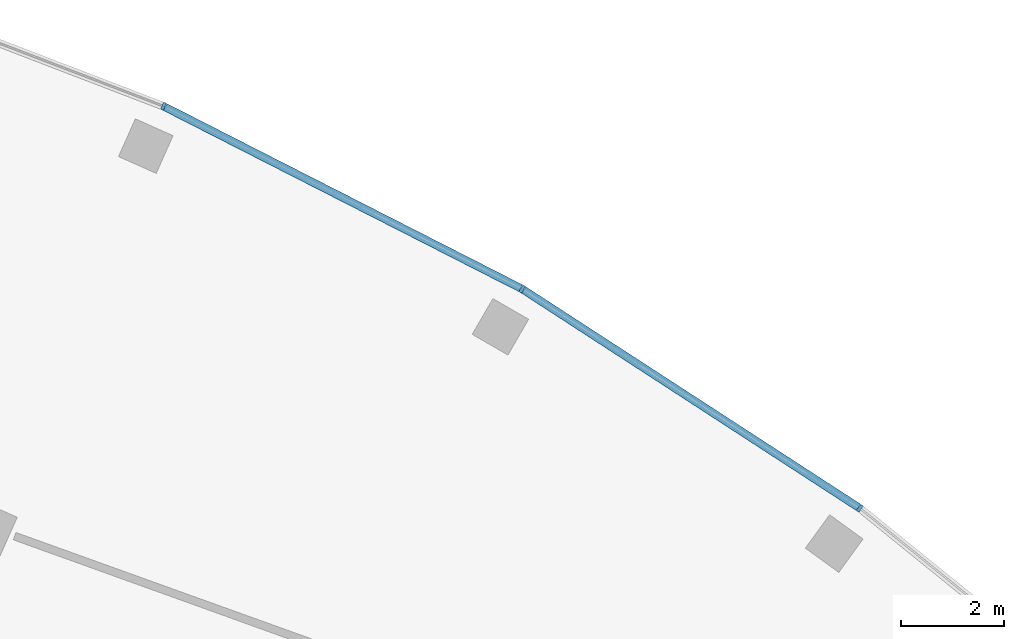
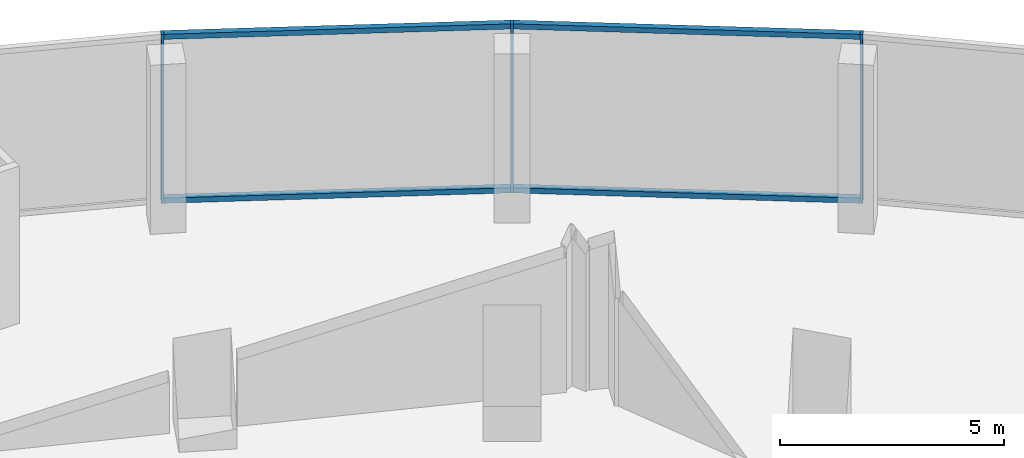
# One storey, part 16 of 33: 7 members, 1 element without a shape of its own.
"""IFC4 building model written with IfcOpenShell, lengths in metres."""

from ifc_helpers import new_model, si_unit, direction, frame, origin, origin_2d, place, context, subcontext, project, spatial, rectangle, extrude, material, layer, layer_set, material_profile, profile_set, type_object, element, aggregate, save


model = new_model("IFC4")

# Units and contexts
model_context = context("Model", 3, precision=1e-05, world=origin(), true_north=direction((0.0, 1.0)))
body_context = subcontext(model_context, "Body", "Model", "MODEL_VIEW")
ifc_project = project(units=[si_unit("LENGTHUNIT", "METRE"), si_unit("AREAUNIT", "SQUARE_METRE"), si_unit("VOLUMEUNIT", "CUBIC_METRE"), si_unit("PLANEANGLEUNIT", "RADIAN"), si_unit("MASSUNIT", "GRAM", prefix="KILO")], contexts=[model_context])

# Site, building, storey
site_placement = place(None, origin())
site = spatial("IfcSite", under=ifc_project, at=site_placement, CompositionType="ELEMENT")
building_placement = place(site_placement, origin())
building = spatial("IfcBuilding", under=site, at=building_placement, Name="Stone Belt Terrace Tower", CompositionType="ELEMENT")
storey_placement = place(building_placement, frame((0.0, 0.0, 25.39990234375)))
storey = spatial("IfcBuildingStorey", under=building, at=storey_placement, Name="L05", CompositionType="ELEMENT", Elevation=25.39990234375)

# Curtain wall, members
ifc_material = material(Name="Aluminium 6063-T6 anodised frame", Category="aluminium")
ifc_layer = layer(ifc_material, 0.14990234375)
ifc_layer_set = layer_set([ifc_layer], Name="CW-D podium shopfront")
curtain_wall_type = type_object("IfcCurtainWallType", Name="CW-D podium shopfront", PredefinedType="NOTDEFINED", material=ifc_layer_set)
curtain_wall_placement = place(storey_placement, origin())
curtain_wall = element("IfcCurtainWall", 1, at=curtain_wall_placement, inside=storey, type_object=curtain_wall_type, Name="CW-D convex face L05", PredefinedType="NOTDEFINED")
ifc_material_profile_1 = material_profile(ifc_material, rectangle(XDim=0.14990234375, YDim=0.06005859375, at=origin_2d()), Name="Aluminium 6063-T6 60x150")
ifc_profile_set_1 = profile_set([ifc_material_profile_1], Name="Aluminium 6063-T6 anodised frame")
member_type_1 = type_object("IfcMemberType", Name="CW-D mullion 60 x 150", PredefinedType="MULLION", material=ifc_profile_set_1)
member_1_placement = place(storey_placement, frame((43.834228515625, 60.33251953125, 0.0), z_axis=(0.0, 0.0, 1.0), x_axis=(-0.587785252292, -0.809016994375, 0.0)))
member_1 = element("IfcMember", 2, at=member_1_placement, type_object=member_type_1, Name="CW-D mullion 7", PredefinedType="MULLION", context=body_context, shape_type="SweptSolid", body=[
    extrude(rectangle(XDim=0.14990234375, YDim=0.06005859375, at=origin_2d()), origin(), (0.0, 0.0, 1.0), 4.60009765625),
])
member_2_placement = place(storey_placement, frame((37.28759765625, 64.583984375, 0.0), z_axis=(0.0, 0.0, 1.0), x_axis=(-0.5, -0.866025403784, 0.0)))
member_2 = element("IfcMember", 3, at=member_2_placement, type_object=member_type_1, Name="CW-D mullion 8", PredefinedType="MULLION", context=body_context, shape_type="SweptSolid", body=[
    extrude(rectangle(XDim=0.14990234375, YDim=0.06005859375, at=origin_2d()), origin(), (0.0, 0.0, 1.0), 4.60009765625),
])
member_3_placement = place(storey_placement, frame((30.33251953125, 68.127685546875, 0.0), z_axis=(0.0, 0.0, 1.0), x_axis=(-0.406736643076, -0.913545457643, 0.0)))
member_3 = element("IfcMember", 4, at=member_3_placement, type_object=member_type_1, Name="CW-D mullion 9", PredefinedType="MULLION", context=body_context, shape_type="SweptSolid", body=[
    extrude(rectangle(XDim=0.14990234375, YDim=0.06005859375, at=origin_2d()), origin(), (0.0, 0.0, 1.0), 4.60009765625),
])
ifc_material_profile_2 = material_profile(ifc_material, rectangle(XDim=0.14990234375, YDim=0.139892578125, at=origin_2d()), Name="Aluminium 6063-T6 150x140")
ifc_profile_set_2 = profile_set([ifc_material_profile_2], Name="Aluminium 6063-T6 anodised frame")
member_type_2 = type_object("IfcMemberType", Name="CW-D transom 140 x 150", PredefinedType="USERDEFINED", material=ifc_profile_set_2)
member_4_placement = place(storey_placement, frame((43.8056640625, 60.35107421875, 0.070068359375), z_axis=(-0.83867853224, 0.54462677088, 0.0), x_axis=(-0.54462677088, -0.83867853224, 0.0)))
member_4 = element("IfcMember", 5, at=member_4_placement, type_object=member_type_2, Name="CW-D transom 7.1", ObjectType="TRANSOM", PredefinedType="USERDEFINED", context=body_context, shape_type="SweptSolid", body=[
    extrude(rectangle(XDim=0.14990234375, YDim=0.139892578125, at=origin_2d()), origin(), (0.0, 0.0, 1.0), 7.738037109375),
])
member_5_placement = place(storey_placement, frame((43.8056640625, 60.35107421875, 4.530029296875), z_axis=(-0.83867853224, 0.54462677088, 0.0), x_axis=(-0.54462677088, -0.83867853224, 0.0)))
member_5 = element("IfcMember", 6, at=member_5_placement, type_object=member_type_2, Name="CW-D transom 7.2", ObjectType="TRANSOM", PredefinedType="USERDEFINED", context=body_context, shape_type="SweptSolid", body=[
    extrude(rectangle(XDim=0.14990234375, YDim=0.139892578125, at=origin_2d()), origin(), (0.0, 0.0, 1.0), 7.738037109375),
])
member_6_placement = place(storey_placement, frame((37.25732421875, 64.599365234375, 0.070068359375), z_axis=(-0.891013010183, 0.453977770034, 0.0), x_axis=(-0.453977770034, -0.891013010183, 0.0)))
member_6 = element("IfcMember", 7, at=member_6_placement, type_object=member_type_2, Name="CW-D transom 8.1", ObjectType="TRANSOM", PredefinedType="USERDEFINED", context=body_context, shape_type="SweptSolid", body=[
    extrude(rectangle(XDim=0.14990234375, YDim=0.139892578125, at=origin_2d()), origin(), (0.0, 0.0, 1.0), 7.738037109375),
])
member_7_placement = place(storey_placement, frame((37.25732421875, 64.599365234375, 4.530029296875), z_axis=(-0.891013010183, 0.453977770034, 0.0), x_axis=(-0.453977770034, -0.891013010183, 0.0)))
member_7 = element("IfcMember", 8, at=member_7_placement, type_object=member_type_2, Name="CW-D transom 8.2", ObjectType="TRANSOM", PredefinedType="USERDEFINED", context=body_context, shape_type="SweptSolid", body=[
    extrude(rectangle(XDim=0.14990234375, YDim=0.139892578125, at=origin_2d()), origin(), (0.0, 0.0, 1.0), 7.738037109375),
])
aggregate(curtain_wall, [member_1, member_2, member_3, member_4, member_5, member_6, member_7])

save(model, "model.ifc")
